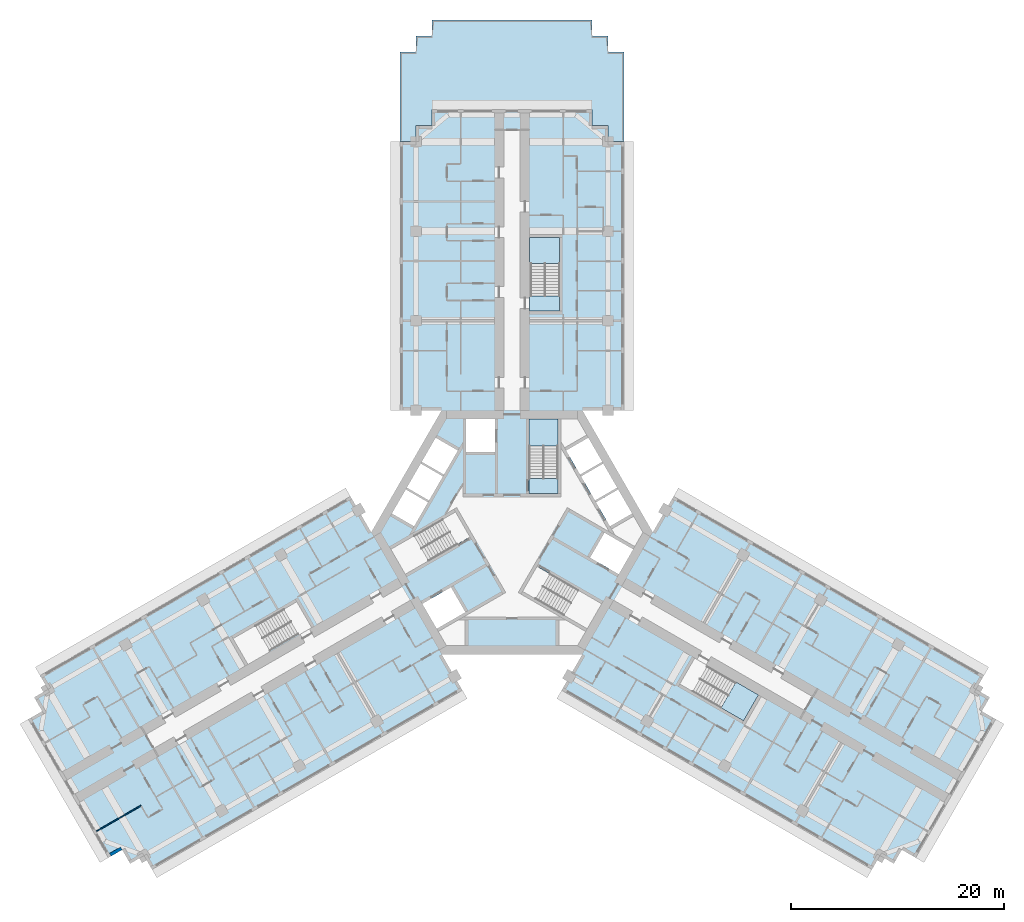
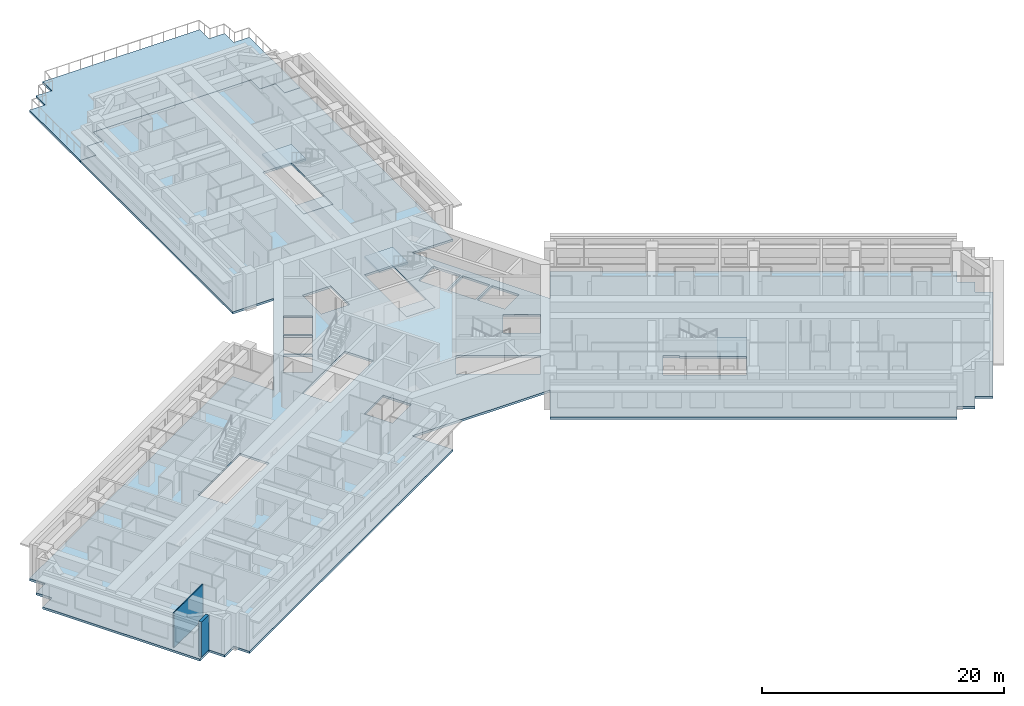
# One storey, part 2 of 16: 7 slabs, 2 walls, 3 elements without a shape of their own.
"""IFC4 building model written with IfcOpenShell, lengths in metres."""

from ifc_helpers import new_model, si_unit, direction, frame, frame_2d, origin, place, context, subcontext, project, spatial, polyline, rectangle, outline, extrude, material, layer, layer_set, type_object, element, aggregate, save


model = new_model("IFC4")

# Units and contexts
model_context = context("Model", 3, precision=1e-05, world=origin(), true_north=direction((0.0, 1.0)))
body_context = subcontext(model_context, "Body", "Model", "MODEL_VIEW")
ifc_project = project(units=[si_unit("LENGTHUNIT", "METRE"), si_unit("AREAUNIT", "SQUARE_METRE"), si_unit("VOLUMEUNIT", "CUBIC_METRE"), si_unit("PLANEANGLEUNIT", "RADIAN"), si_unit("MASSUNIT", "GRAM", prefix="KILO")], contexts=[model_context])

# Site, building, storey
site_placement = place(None, origin())
site = spatial("IfcSite", under=ifc_project, at=site_placement, CompositionType="ELEMENT")
building_placement = place(site_placement, origin())
building = spatial("IfcBuilding", under=site, at=building_placement, Name="Impinga Residences", CompositionType="ELEMENT")
storey_placement = place(building_placement, frame((0.0, 0.0, 106.0)))
storey = spatial("IfcBuildingStorey", under=building, at=storey_placement, Name="L25", CompositionType="ELEMENT", Elevation=106.0)

# Slab
ifc_material_1 = material(Name="Concrete C60/75", Category="concrete")
ifc_layer_1 = layer(ifc_material_1, 0.219970703125)
ifc_layer_set_1 = layer_set([ifc_layer_1], Name="Concrete C60/75")
slab_type_1 = type_object("IfcSlabType", Name="FS1 tower floor slab 220", PredefinedType="FLOOR", material=ifc_layer_set_1)
slab_1_placement = place(storey_placement, frame((0.0, 0.0, -0.219970703125)))
element("IfcSlab", 1, at=slab_1_placement, inside=storey, type_object=slab_type_1, Name="Floor slab FS1 L25", PredefinedType="FLOOR", context=body_context, shape_type="SweptSolid", body=[
    extrude(outline(polyline([(-34.49853515625, -30.31005859375), (-35.797607421875, -31.06005859375), (-36.547607421875, -29.760986328125), (-37.846435546875, -30.510986328125), (-45.346435546875, -17.5205078125), (-44.047607421875, -16.7705078125), (-44.797607421875, -15.471435546875), (-43.49853515625, -14.721435546875), (-44.24853515625, -13.422607421875), (-15.14990234375, 3.37744140625), (-13.199951171875, 0.0), (-6.60009765625, 11.431640625), (-10.5, 11.431640625), (-10.5, 36.631591796875), (-9.0, 36.631591796875), (-9.0, 38.131591796875), (-7.5, 38.131591796875), (-7.5, 39.631591796875), (7.5, 39.631591796875), (7.5, 38.131591796875), (9.0, 38.131591796875), (9.0, 36.631591796875), (10.5, 36.631591796875), (10.5, 11.431640625), (6.60009765625, 11.431640625), (13.199951171875, 0.0), (15.14990234375, 3.37744140625), (44.24853515625, -13.422607421875), (43.49853515625, -14.721435546875), (44.797607421875, -15.471435546875), (44.047607421875, -16.7705078125), (45.346435546875, -17.5205078125), (37.846435546875, -30.510986328125), (36.547607421875, -29.760986328125), (35.797607421875, -31.06005859375), (34.49853515625, -30.31005859375), (33.74853515625, -31.609130859375), (4.64990234375, -14.80908203125), (9.900146484375, -5.7158203125), (6.60009765625, -11.431640625), (-6.60009765625, -11.431640625), (-9.900146484375, -5.7158203125), (-4.64990234375, -14.80908203125), (-33.74853515625, -31.609130859375), (-34.49853515625, -30.31005859375)]), holes=[polyline([(-18.779052734375, -8.936767578125), (-18.8291015625, -8.850341796875), (-18.8291015625, -8.850341796875), (-20.178955078125, -6.511962890625), (-21.391357421875, -7.2119140625), (-21.391357421875, -7.2119140625), (-26.154541015625, -9.9619140625), (-24.8046875, -12.30029296875), (-20.04150390625, -9.55029296875), (-19.991455078125, -9.63671875), (-18.779052734375, -8.936767578125)]), polyline([(-4.37109375, -7.489013671875), (-5.72119140625, -5.150634765625), (-8.4072265625, -6.701416015625), (-7.05712890625, -9.039794921875), (-4.37109375, -7.489013671875)]), polyline([(-3.943603515625, -0.429443359375), (-5.293701171875, 1.908935546875), (-11.357177734375, -1.591796875), (-10.007080078125, -3.93017578125), (-3.943603515625, -0.429443359375)]), polyline([(-7.878662109375, 2.816650390625), (-9.957275390625, 4.016845703125), (-11.257080078125, 1.76513671875), (-9.1787109375, 0.56494140625), (-7.878662109375, 2.816650390625)]), polyline([(-6.478759765625, 5.24169921875), (-8.55712890625, 6.441650390625), (-9.857177734375, 4.18994140625), (-7.77880859375, 2.989990234375), (-6.478759765625, 5.24169921875)]), polyline([(4.300048828125, 3.6298828125), (4.300048828125, 10.631591796875), (1.60009765625, 10.631591796875), (1.60009765625, 3.6298828125), (4.300048828125, 3.6298828125)]), polyline([(-6.378662109375, 5.414794921875), (-5.07861328125, 7.66650390625), (-7.1572265625, 8.866455078125), (-8.457275390625, 6.61474609375), (-6.378662109375, 5.414794921875)]), polyline([(-4.300048828125, 7.530029296875), (-1.60009765625, 7.530029296875), (-1.60009765625, 10.631591796875), (-4.300048828125, 10.631591796875), (-4.300048828125, 7.530029296875)]), polyline([(4.449951171875, 20.7314453125), (4.449951171875, 22.131591796875), (4.449951171875, 27.631591796875), (1.75, 27.631591796875), (1.75, 22.131591796875), (1.64990234375, 22.131591796875), (1.64990234375, 20.7314453125), (1.75, 20.7314453125), (4.449951171875, 20.7314453125)]), polyline([(15.72900390625, -14.219482421875), (21.70458984375, -17.669677734375), (23.0546875, -15.331298828125), (18.29150390625, -12.581298828125), (18.341552734375, -12.49462890625), (17.129150390625, -11.794677734375), (15.72900390625, -14.219482421875)]), polyline([(2.34375, -3.20068359375), (0.99365234375, -5.538818359375), (7.05712890625, -9.039794921875), (8.4072265625, -6.701416015625), (2.34375, -3.20068359375)]), polyline([(7.3212890625, -2.37939453125), (10.007080078125, -3.93017578125), (11.357177734375, -1.591796875), (8.671142578125, -0.041015625), (7.3212890625, -2.37939453125)]), polyline([(7.878662109375, 2.816650390625), (9.1787109375, 0.56494140625), (11.257080078125, 1.76513671875), (9.957275390625, 4.016845703125), (7.878662109375, 2.816650390625)]), polyline([(6.478759765625, 5.24169921875), (7.77880859375, 2.989990234375), (9.857177734375, 4.18994140625), (8.55712890625, 6.441650390625), (6.478759765625, 5.24169921875)]), polyline([(6.378662109375, 5.414794921875), (8.457275390625, 6.61474609375), (7.1572265625, 8.866455078125), (5.07861328125, 7.66650390625), (6.378662109375, 5.414794921875)])]), origin(), (0.0, 0.0, 1.0), 0.219970703125),
])

# Stair, slabs
ifc_material_2 = material(Name="Concrete C40/50", Category="concrete")
stair_type_1 = type_object("IfcStairType", Name="STR core stair 3750 storey, 24 risers", PredefinedType="HALF_TURN_STAIR", material=ifc_material_2)
stair_1_placement = place(storey_placement, origin())
stair_1 = element("IfcStair", 2, at=stair_1_placement, inside=storey, type_object=stair_type_1, Name="Stair ST1 L25", PredefinedType="HALF_TURN_STAIR")
ifc_layer_2 = layer(ifc_material_2, 0.199951171875)
ifc_layer_set_2 = layer_set([ifc_layer_2], Name="Concrete C40/50")
slab_type_2 = type_object("IfcSlabType", Name="LS1 stair landing 200", PredefinedType="LANDING", material=ifc_layer_set_2)
slab_2_placement = place(storey_placement, frame((0.0, 0.0, -0.199951171875)))
slab_2 = element("IfcSlab", 3, at=slab_2_placement, type_object=slab_type_2, Name="ST1 landing 1", PredefinedType="LANDING", context=body_context, shape_type="SweptSolid", body=[
    extrude(outline(polyline([(1.60009765625, 3.6298828125), (4.300048828125, 3.6298828125), (4.300048828125, 5.0400390625), (1.60009765625, 5.0400390625), (1.60009765625, 3.6298828125)])), origin(), (0.0, 0.0, 1.0), 0.199951171875),
])
slab_3_placement = place(storey_placement, frame((0.0, 0.0, 1.675048828125)))
slab_3 = element("IfcSlab", 4, at=slab_3_placement, type_object=slab_type_2, Name="ST1 landing 2", PredefinedType="LANDING", context=body_context, shape_type="SweptSolid", body=[
    extrude(outline(polyline([(1.60009765625, 8.10009765625), (4.300048828125, 8.10009765625), (4.300048828125, 10.631591796875), (1.60009765625, 10.631591796875), (1.60009765625, 8.10009765625)])), origin(), (0.0, 0.0, 1.0), 0.199951171875),
])
aggregate(stair_1, [slab_2, slab_3])

stair_type_2 = type_object("IfcStairType", Name="STR wing stair 3750 storey, 24 risers", PredefinedType="HALF_TURN_STAIR", material=ifc_material_2)
stair_2_placement = place(storey_placement, origin())
stair_2 = element("IfcStair", 5, at=stair_2_placement, inside=storey, type_object=stair_type_2, Name="Stair WS1 L25", PredefinedType="HALF_TURN_STAIR")
slab_4_placement = place(storey_placement, frame((0.0, 0.0, -0.199951171875)))
slab_4 = element("IfcSlab", 6, at=slab_4_placement, type_object=slab_type_2, Name="WS1 landing 1", PredefinedType="LANDING", context=body_context, shape_type="SweptSolid", body=[
    extrude(outline(polyline([(1.64990234375, 20.7314453125), (4.449951171875, 20.7314453125), (4.449951171875, 22.1416015625), (1.64990234375, 22.1416015625), (1.64990234375, 20.7314453125)])), origin(), (0.0, 0.0, 1.0), 0.199951171875),
])
slab_5_placement = place(storey_placement, frame((0.0, 0.0, 1.675048828125)))
slab_5 = element("IfcSlab", 7, at=slab_5_placement, type_object=slab_type_2, Name="WS1 landing 2", PredefinedType="LANDING", context=body_context, shape_type="SweptSolid", body=[
    extrude(outline(polyline([(1.64990234375, 25.201416015625), (4.449951171875, 25.201416015625), (4.449951171875, 27.631591796875), (1.64990234375, 27.631591796875), (1.64990234375, 25.201416015625)])), origin(), (0.0, 0.0, 1.0), 0.199951171875),
])
aggregate(stair_2, [slab_4, slab_5])

# Stair, slab
stair_3_placement = place(storey_placement, origin())
stair_3 = element("IfcStair", 8, at=stair_3_placement, inside=storey, type_object=stair_type_2, Name="Stair WS3 L25", PredefinedType="HALF_TURN_STAIR")
slab_6_placement = place(storey_placement, frame((0.0, 0.0, 1.675048828125)))
slab_6 = element("IfcSlab", 9, at=slab_6_placement, type_object=slab_type_2, Name="WS3 landing 2", PredefinedType="LANDING", context=body_context, shape_type="SweptSolid", body=[
    extrude(outline(polyline([(21.000244140625, -14.02978515625), (19.60009765625, -16.45458984375), (21.70458984375, -17.669677734375), (23.1044921875, -15.24462890625), (21.000244140625, -14.02978515625)])), origin(), (0.0, 0.0, 1.0), 0.199951171875),
])
aggregate(stair_3, [slab_6])

# Slab
ifc_layer_3 = layer(ifc_material_1, 0.219970703125)
ifc_layer_set_3 = layer_set([ifc_layer_3], Name="Concrete C60/75")
slab_type_3 = type_object("IfcSlabType", Name="TS2 setback terrace slab 220", PredefinedType="ROOF", material=ifc_layer_set_3)
slab_7_placement = place(storey_placement, frame((0.0, 0.0, -0.219970703125)))
element("IfcSlab", 10, at=slab_7_placement, inside=storey, type_object=slab_type_3, Name="Maintenance roof TS2 L25", PredefinedType="ROOF", context=body_context, shape_type="SweptSolid", body=[
    extrude(outline(polyline([(-10.5, 45.031494140625), (-9.0, 45.031494140625), (-9.0, 46.531494140625), (-7.5, 46.531494140625), (-7.5, 48.031494140625), (7.5, 48.031494140625), (7.5, 46.531494140625), (9.0, 46.531494140625), (9.0, 45.031494140625), (10.5, 45.031494140625), (10.5, 36.632568359375), (9.0009765625, 36.632568359375), (9.0009765625, 38.131591796875), (9.0009765625, 38.131591796875), (9.0009765625, 38.1318359375), (9.0009765625, 38.1318359375), (9.0009765625, 38.1318359375), (9.0009765625, 38.132080078125), (9.000732421875, 38.132080078125), (9.000732421875, 38.132080078125), (9.000732421875, 38.13232421875), (9.000732421875, 38.13232421875), (9.00048828125, 38.13232421875), (9.00048828125, 38.13232421875), (9.00048828125, 38.132568359375), (9.000244140625, 38.132568359375), (9.000244140625, 38.132568359375), (9.0, 38.132568359375), (9.0, 38.132568359375), (7.5009765625, 38.132568359375), (7.5009765625, 39.631591796875), (7.5009765625, 39.631591796875), (7.5009765625, 39.6318359375), (7.5009765625, 39.6318359375), (7.5009765625, 39.6318359375), (7.5009765625, 39.632080078125), (7.500732421875, 39.632080078125), (7.500732421875, 39.632080078125), (7.500732421875, 39.63232421875), (7.500732421875, 39.63232421875), (7.50048828125, 39.63232421875), (7.50048828125, 39.63232421875), (7.50048828125, 39.632568359375), (7.500244140625, 39.632568359375), (7.500244140625, 39.632568359375), (7.5, 39.632568359375), (7.5, 39.632568359375), (-7.5, 39.632568359375), (-7.5, 39.632568359375), (-7.500244140625, 39.632568359375), (-7.500244140625, 39.632568359375), (-7.50048828125, 39.632568359375), (-7.50048828125, 39.63232421875), (-7.50048828125, 39.63232421875), (-7.500732421875, 39.63232421875), (-7.500732421875, 39.63232421875), (-7.500732421875, 39.632080078125), (-7.500732421875, 39.632080078125), (-7.5009765625, 39.632080078125), (-7.5009765625, 39.6318359375), (-7.5009765625, 39.6318359375), (-7.5009765625, 39.6318359375), (-7.5009765625, 39.631591796875), (-7.5009765625, 39.631591796875), (-7.5009765625, 38.132568359375), (-9.0, 38.132568359375), (-9.0, 38.132568359375), (-9.000244140625, 38.132568359375), (-9.000244140625, 38.132568359375), (-9.00048828125, 38.132568359375), (-9.00048828125, 38.13232421875), (-9.00048828125, 38.13232421875), (-9.000732421875, 38.13232421875), (-9.000732421875, 38.13232421875), (-9.000732421875, 38.132080078125), (-9.000732421875, 38.132080078125), (-9.0009765625, 38.132080078125), (-9.0009765625, 38.1318359375), (-9.0009765625, 38.1318359375), (-9.0009765625, 38.1318359375), (-9.0009765625, 38.131591796875), (-9.0009765625, 38.131591796875), (-9.0009765625, 36.632568359375), (-10.5, 36.632568359375), (-10.5, 45.031494140625)])), origin(), (0.0, 0.0, 1.0), 0.219970703125),
])

# Walls
ifc_material_3 = material(Name="Terracotta rainscreen on blockwork", Category="masonry")
ifc_layer_4 = layer(ifc_material_3, 0.300048828125)
ifc_layer_set_4 = layer_set([ifc_layer_4], Name="EW1 external wall, terracotta rainscreen on blockwork 300")
wall_type_1 = type_object("IfcWallType", Name="EW1 external wall, terracotta rainscreen on blockwork 300", PredefinedType="SOLIDWALL", material=ifc_layer_set_4)
wall_1_placement = place(storey_placement, frame((-36.626708984375, -29.633544921875, 0.0), z_axis=(0.0, 0.0, 1.0), x_axis=(-0.866059708757, -0.499940577336, 0.0)))
element("IfcWall", 11, at=wall_1_placement, inside=storey, type_object=wall_type_1, Name="External wall EW1 L25", PredefinedType="SOLIDWALL", context=body_context, shape_type="SweptSolid", body=[
    extrude(rectangle(XDim=1.195068359375, YDim=0.300048828125, at=frame_2d((0.59765625, 0.0))), origin(), (0.0, 0.0, 1.0), 3.530029296875),
])
ifc_material_4 = material(Name="Gypsum board on steel studs", Category="steel")
ifc_layer_5 = layer(ifc_material_4, 0.10009765625)
ifc_layer_set_5 = layer_set([ifc_layer_5], Name="Gypsum board on steel studs")
wall_type_2 = type_object("IfcWallType", Name="IP1 partition 100", PredefinedType="PARTITIONING", material=ifc_layer_set_5)
wall_2_placement = place(storey_placement, frame((-34.77978515625, -25.622802734375, 0.0), z_axis=(0.0, 0.0, 1.0), x_axis=(-0.866037363387, -0.499979284789, 0.0)))
element("IfcWall", 12, at=wall_2_placement, inside=storey, type_object=wall_type_2, Name="Partition L25-WA5:DIV1", PredefinedType="PARTITIONING", context=body_context, shape_type="SweptSolid", body=[
    extrude(rectangle(XDim=4.800048828125, YDim=0.10009765625, at=frame_2d((2.39990234375, 0.0))), origin(), (0.0, 0.0, 1.0), 3.530029296875),
])

save(model, "model.ifc")
